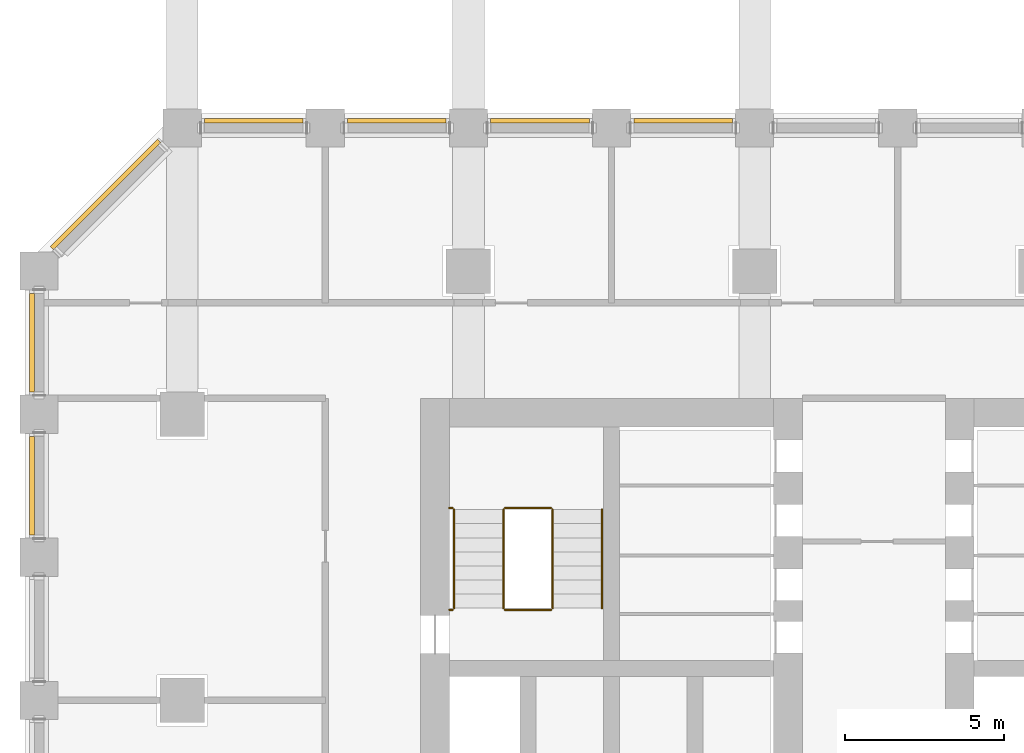
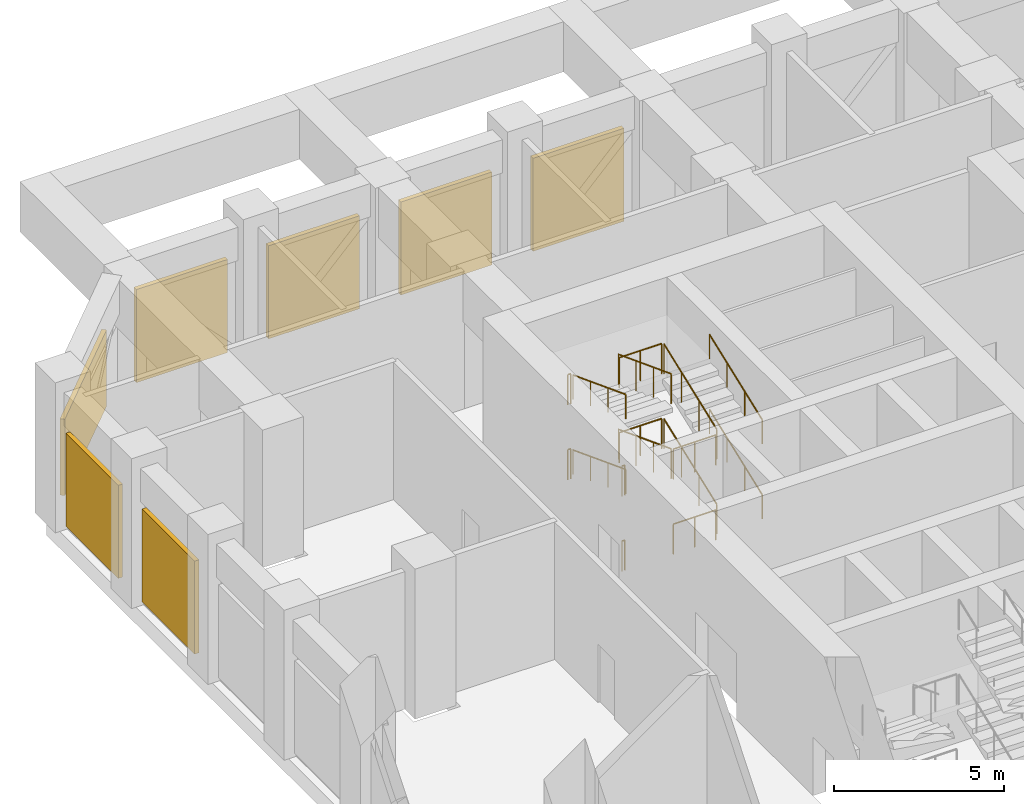
# One storey, part 17 of 20: 16 railings, 7 shading devices.
"""IFC4 building model written with IfcOpenShell, lengths in metres."""

from ifc_helpers import new_model, si_unit, direction, frame, origin, origin_2d, place, context, subcontext, project, spatial, rectangle, circle, extrude, material, layer, layer_set, type_object, element, save


model = new_model("IFC4")

# Units and contexts
model_context = context("Model", 3, precision=1e-05, world=origin(), true_north=direction((0.0, 1.0)))
body_context = subcontext(model_context, "Body", "Model", "MODEL_VIEW")
ifc_project = project(units=[si_unit("LENGTHUNIT", "METRE"), si_unit("AREAUNIT", "SQUARE_METRE"), si_unit("VOLUMEUNIT", "CUBIC_METRE"), si_unit("PLANEANGLEUNIT", "RADIAN"), si_unit("MASSUNIT", "GRAM", prefix="KILO")], contexts=[model_context])

# Site, building, storey
site_placement = place(None, origin())
site = spatial("IfcSite", under=ifc_project, at=site_placement, CompositionType="ELEMENT")
building_placement = place(site_placement, origin())
building = spatial("IfcBuilding", under=site, at=building_placement, Name="Corbel Stack Research Tower", CompositionType="ELEMENT")
storey_placement = place(building_placement, frame((0.0, 0.0, 76.60009765625)))
storey = spatial("IfcBuildingStorey", under=building, at=storey_placement, Name="L17", CompositionType="ELEMENT", Elevation=76.60009765625)

# Shading devices
ifc_material_1 = material(Name="Aluminium louvre", Category="aluminium")
ifc_layer = layer(ifc_material_1, 0.14990234375)
ifc_layer_set = layer_set([ifc_layer], Name="Aluminium louvre")
shading_device_type = type_object("IfcShadingDeviceType", Name="Plant louvre 150", PredefinedType="USERDEFINED", material=ifc_layer_set)
for number, where, z_axis, x_axis, name in (
    (1, (-2.25, 27.22509765625, 0.199951171875), (0.0, 0.0, 1.0), (-1.0, 0.0, 0.0), "Plant louvre L17 N07"),
    (2, (-6.75, 27.22509765625, 0.199951171875), (0.0, 0.0, 1.0), (-1.0, 0.0, 0.0), "Plant louvre L17 N08"),
    (3, (-11.25, 27.22509765625, 0.199951171875), (0.0, 0.0, 1.0), (-1.0, 0.0, 0.0), "Plant louvre L17 N09"),
    (4, (-15.75, 27.22509765625, 0.199951171875), (0.0, 0.0, 1.0), (-1.0, 0.0, 0.0), "Plant louvre L17 N10"),
):
    element("IfcShadingDevice", number, at=place(storey_placement, frame(where, z_axis=z_axis, x_axis=x_axis)), inside=storey, type_object=shading_device_type, Name=name, ObjectType="LOUVRE", PredefinedType="USERDEFINED", context=body_context, shape_type="SweptSolid", body=[
        extrude(rectangle(XDim=3.10009765625, YDim=0.14990234375, at=origin_2d()), origin(), (0.0, 0.0, 1.0), 3.35009765625),
    ])
shading_device_placement = place(storey_placement, frame((-20.4091796875, 24.9091796875, 0.199951171875), z_axis=(0.0, 0.0, 1.0), x_axis=(-0.707106781187, -0.707106781187, 0.0)))
element("IfcShadingDevice", 5, at=shading_device_placement, inside=storey, type_object=shading_device_type, Name="Plant louvre L17 NW01", ObjectType="LOUVRE", PredefinedType="USERDEFINED", context=body_context, shape_type="SweptSolid", body=[
    extrude(rectangle(XDim=4.766845703125, YDim=0.14990234375, at=origin_2d()), origin(), (0.0, 0.0, 1.0), 2.75),
])
for number, where, z_axis, x_axis, name in (
    (6, (-22.72509765625, 20.25, 0.199951171875), (0.0, 0.0, 1.0), (0.0, -1.0, 0.0), "Plant louvre L17 W01"),
    (7, (-22.72509765625, 15.75, 0.199951171875), (0.0, 0.0, 1.0), (0.0, -1.0, 0.0), "Plant louvre L17 W02"),
):
    element("IfcShadingDevice", number, at=place(storey_placement, frame(where, z_axis=z_axis, x_axis=x_axis)), inside=storey, type_object=shading_device_type, Name=name, ObjectType="LOUVRE", PredefinedType="USERDEFINED", context=body_context, shape_type="SweptSolid", body=[
        extrude(rectangle(XDim=3.10009765625, YDim=0.14990234375, at=origin_2d()), origin(), (0.0, 0.0, 1.0), 3.35009765625),
    ])

# Railings
ifc_material_2 = material(Name="Steel S355", Category="steel")
railing_type_1 = type_object("IfcRailingType", Name="Stair guard 1100", PredefinedType="GUARDRAIL", material=ifc_material_2)
railing_1_placement = place(storey_placement, frame((-6.35009765625, 11.89990234375, 0.168701171875)))
element("IfcRailing", 8, at=railing_1_placement, inside=storey, type_object=railing_type_1, Name="L17 ST-W2 stair guard 1", PredefinedType="GUARDRAIL", context=body_context, shape_type="SweptSolid", body=[
    extrude(circle(Radius=0.02392578125, at=origin_2d()), frame((0.0, 0.0, 1.076171875), z_axis=(0.0, 0.934508712189, 0.355940257406), x_axis=(-1.0, 0.0, 0.0)), (0.0, 0.0, 1.0), 3.318359375),
    extrude(circle(Radius=0.02099609375, at=origin_2d()), origin(), (0.0, 0.0, 1.0), 1.052001953125),
    extrude(circle(Radius=0.02099609375, at=origin_2d()), frame((0.0, 1.03369140625, 0.393798828125)), (0.0, 0.0, 1.0), 1.052001953125),
    extrude(circle(Radius=0.02099609375, at=origin_2d()), frame((0.0, 2.0673828125, 0.787353515625)), (0.0, 0.0, 1.0), 1.052001953125),
    extrude(circle(Radius=0.02099609375, at=origin_2d()), frame((0.0, 3.10107421875, 1.18115234375)), (0.0, 0.0, 1.0), 1.052001953125),
])
railing_2_placement = place(storey_placement, frame((-6.39990234375, 15.051025390625, 1.349853515625)))
element("IfcRailing", 9, at=railing_2_placement, inside=storey, type_object=railing_type_1, Name="L17 ST-W2 stair guard 2", PredefinedType="GUARDRAIL", context=body_context, shape_type="SweptSolid", body=[
    extrude(circle(Radius=0.02392578125, at=origin_2d()), frame((0.0, 0.0, 1.076171875), z_axis=(-1.0, 0.0, 0.0), x_axis=(0.0, -1.0, 0.0)), (0.0, 0.0, 1.0), 1.4501953125),
    extrude(circle(Radius=0.02099609375, at=origin_2d()), origin(), (0.0, 0.0, 1.0), 1.052001953125),
    extrude(circle(Radius=0.02099609375, at=origin_2d()), frame((-0.72509765625, 0.0, 0.0)), (0.0, 0.0, 1.0), 1.052001953125),
    extrude(circle(Radius=0.02099609375, at=origin_2d()), frame((-1.4501953125, 0.0, 0.0)), (0.0, 0.0, 1.0), 1.052001953125),
])
railing_3_placement = place(storey_placement, frame((-9.5, 15.051025390625, 1.349853515625)))
element("IfcRailing", 10, at=railing_3_placement, inside=storey, type_object=railing_type_1, Name="L17 ST-W2 stair guard 3", PredefinedType="GUARDRAIL", context=body_context, shape_type="SweptSolid", body=[
    extrude(circle(Radius=0.02392578125, at=origin_2d()), frame((0.0, 0.0, 1.076171875), z_axis=(-1.0, 0.0, 0.0), x_axis=(0.0, -1.0, 0.0)), (0.0, 0.0, 1.0), 0.10009765625),
    extrude(circle(Radius=0.02099609375, at=origin_2d()), origin(), (0.0, 0.0, 1.0), 1.052001953125),
    extrude(circle(Radius=0.02099609375, at=origin_2d()), frame((-0.10009765625, 0.0, 0.0)), (0.0, 0.0, 1.0), 1.052001953125),
])
railing_4_placement = place(storey_placement, frame((-7.89990234375, 15.0009765625, 1.5185546875)))
element("IfcRailing", 11, at=railing_4_placement, inside=storey, type_object=railing_type_1, Name="L17 ST-W2 stair guard 4", PredefinedType="GUARDRAIL", context=body_context, shape_type="SweptSolid", body=[
    extrude(circle(Radius=0.02392578125, at=origin_2d()), frame((0.0, 0.0, 1.076171875), z_axis=(0.0, -0.934484238495, 0.356004505596), x_axis=(1.0, 0.0, 0.0)), (0.0, 0.0, 1.0), 3.318603515625),
    extrude(circle(Radius=0.02099609375, at=origin_2d()), origin(), (0.0, 0.0, 1.0), 1.052001953125),
    extrude(circle(Radius=0.02099609375, at=origin_2d()), frame((0.0, -1.03369140625, 0.393798828125)), (0.0, 0.0, 1.0), 1.052001953125),
    extrude(circle(Radius=0.02099609375, at=origin_2d()), frame((0.0, -2.0673828125, 0.78759765625)), (0.0, 0.0, 1.0), 1.052001953125),
    extrude(circle(Radius=0.02099609375, at=origin_2d()), frame((0.0, -3.10107421875, 1.181396484375)), (0.0, 0.0, 1.0), 1.052001953125),
])
railing_5_placement = place(storey_placement, frame((-6.39990234375, 11.85009765625, 2.699951171875)))
element("IfcRailing", 12, at=railing_5_placement, inside=storey, type_object=railing_type_1, Name="L17 ST-W2 stair guard 5", PredefinedType="GUARDRAIL", context=body_context, shape_type="SweptSolid", body=[
    extrude(circle(Radius=0.02392578125, at=origin_2d()), frame((0.0, 0.0, 1.076171875), z_axis=(-1.0, 0.0, 0.0), x_axis=(0.0, -1.0, 0.0)), (0.0, 0.0, 1.0), 1.4501953125),
    extrude(circle(Radius=0.02099609375, at=origin_2d()), origin(), (0.0, 0.0, 1.0), 1.052001953125),
    extrude(circle(Radius=0.02099609375, at=origin_2d()), frame((-0.72509765625, 0.0, 0.0)), (0.0, 0.0, 1.0), 1.052001953125),
    extrude(circle(Radius=0.02099609375, at=origin_2d()), frame((-1.4501953125, 0.0, 0.0)), (0.0, 0.0, 1.0), 1.052001953125),
])
railing_6_placement = place(storey_placement, frame((-9.5, 11.85009765625, 2.699951171875)))
element("IfcRailing", 13, at=railing_6_placement, inside=storey, type_object=railing_type_1, Name="L17 ST-W2 stair guard 6", PredefinedType="GUARDRAIL", context=body_context, shape_type="SweptSolid", body=[
    extrude(circle(Radius=0.02392578125, at=origin_2d()), frame((0.0, 0.0, 1.076171875), z_axis=(-1.0, 0.0, 0.0), x_axis=(0.0, -1.0, 0.0)), (0.0, 0.0, 1.0), 0.10009765625),
    extrude(circle(Radius=0.02099609375, at=origin_2d()), origin(), (0.0, 0.0, 1.0), 1.052001953125),
    extrude(circle(Radius=0.02099609375, at=origin_2d()), frame((-0.10009765625, 0.0, 0.0)), (0.0, 0.0, 1.0), 1.052001953125),
])
railing_7_placement = place(storey_placement, frame((-6.35009765625, 11.89990234375, 2.86865234375)))
element("IfcRailing", 14, at=railing_7_placement, inside=storey, type_object=railing_type_1, Name="L17 ST-W2 stair guard 7", PredefinedType="GUARDRAIL", context=body_context, shape_type="SweptSolid", body=[
    extrude(circle(Radius=0.02392578125, at=origin_2d()), frame((0.0, 0.0, 1.076171875), z_axis=(0.0, 0.934508712189, 0.355940257406), x_axis=(-1.0, 0.0, 0.0)), (0.0, 0.0, 1.0), 3.318359375),
    extrude(circle(Radius=0.02099609375, at=origin_2d()), origin(), (0.0, 0.0, 1.0), 1.052001953125),
    extrude(circle(Radius=0.02099609375, at=origin_2d()), frame((0.0, 1.03369140625, 0.393798828125)), (0.0, 0.0, 1.0), 1.052001953125),
    extrude(circle(Radius=0.02099609375, at=origin_2d()), frame((0.0, 2.0673828125, 0.787353515625)), (0.0, 0.0, 1.0), 1.052001953125),
    extrude(circle(Radius=0.02099609375, at=origin_2d()), frame((0.0, 3.10107421875, 1.18115234375)), (0.0, 0.0, 1.0), 1.052001953125),
])
railing_8_placement = place(storey_placement, frame((-6.39990234375, 15.051025390625, 4.0498046875)))
element("IfcRailing", 15, at=railing_8_placement, inside=storey, type_object=railing_type_1, Name="L17 ST-W2 stair guard 8", PredefinedType="GUARDRAIL", context=body_context, shape_type="SweptSolid", body=[
    extrude(circle(Radius=0.02392578125, at=origin_2d()), frame((0.0, 0.0, 1.076171875), z_axis=(-1.0, 0.0, 0.0), x_axis=(0.0, -1.0, 0.0)), (0.0, 0.0, 1.0), 1.4501953125),
    extrude(circle(Radius=0.02099609375, at=origin_2d()), origin(), (0.0, 0.0, 1.0), 1.052001953125),
    extrude(circle(Radius=0.02099609375, at=origin_2d()), frame((-0.72509765625, 0.0, 0.0)), (0.0, 0.0, 1.0), 1.052001953125),
    extrude(circle(Radius=0.02099609375, at=origin_2d()), frame((-1.4501953125, 0.0, 0.0)), (0.0, 0.0, 1.0), 1.052001953125),
])
railing_9_placement = place(storey_placement, frame((-9.5, 15.051025390625, 4.0498046875)))
element("IfcRailing", 16, at=railing_9_placement, inside=storey, type_object=railing_type_1, Name="L17 ST-W2 stair guard 9", PredefinedType="GUARDRAIL", context=body_context, shape_type="SweptSolid", body=[
    extrude(circle(Radius=0.02392578125, at=origin_2d()), frame((0.0, 0.0, 1.076171875), z_axis=(-1.0, 0.0, 0.0), x_axis=(0.0, -1.0, 0.0)), (0.0, 0.0, 1.0), 0.10009765625),
    extrude(circle(Radius=0.02099609375, at=origin_2d()), origin(), (0.0, 0.0, 1.0), 1.052001953125),
    extrude(circle(Radius=0.02099609375, at=origin_2d()), frame((-0.10009765625, 0.0, 0.0)), (0.0, 0.0, 1.0), 1.052001953125),
])
railing_10_placement = place(storey_placement, frame((-7.89990234375, 15.0009765625, 4.21875)))
element("IfcRailing", 17, at=railing_10_placement, inside=storey, type_object=railing_type_1, Name="L17 ST-W2 stair guard 10", PredefinedType="GUARDRAIL", context=body_context, shape_type="SweptSolid", body=[
    extrude(circle(Radius=0.02392578125, at=origin_2d()), frame((0.0, 0.0, 1.076171875), z_axis=(0.0, -0.934508712189, 0.355940257406), x_axis=(1.0, 0.0, 0.0)), (0.0, 0.0, 1.0), 3.318359375),
    extrude(circle(Radius=0.02099609375, at=origin_2d()), origin(), (0.0, 0.0, 1.0), 1.052001953125),
    extrude(circle(Radius=0.02099609375, at=origin_2d()), frame((0.0, -1.03369140625, 0.393798828125)), (0.0, 0.0, 1.0), 1.052001953125),
    extrude(circle(Radius=0.02099609375, at=origin_2d()), frame((0.0, -2.0673828125, 0.787353515625)), (0.0, 0.0, 1.0), 1.052001953125),
    extrude(circle(Radius=0.02099609375, at=origin_2d()), frame((0.0, -3.10107421875, 1.18115234375)), (0.0, 0.0, 1.0), 1.052001953125),
])
railing_11_placement = place(storey_placement, frame((-6.39990234375, 11.85009765625, 0.0)))
element("IfcRailing", 18, at=railing_11_placement, inside=storey, type_object=railing_type_1, Name="L17 ST-W2 stair guard 11", PredefinedType="GUARDRAIL", context=body_context, shape_type="SweptSolid", body=[
    extrude(circle(Radius=0.02392578125, at=origin_2d()), frame((0.0, 0.0, 1.076171875), z_axis=(-1.0, 0.0, 0.0), x_axis=(0.0, -1.0, 0.0)), (0.0, 0.0, 1.0), 1.4501953125),
    extrude(circle(Radius=0.02099609375, at=origin_2d()), origin(), (0.0, 0.0, 1.0), 1.052001953125),
    extrude(circle(Radius=0.02099609375, at=origin_2d()), frame((-0.72509765625, 0.0, 0.0)), (0.0, 0.0, 1.0), 1.052001953125),
    extrude(circle(Radius=0.02099609375, at=origin_2d()), frame((-1.4501953125, 0.0, 0.0)), (0.0, 0.0, 1.0), 1.052001953125),
])
railing_12_placement = place(storey_placement, frame((-9.5, 11.85009765625, 0.0)))
element("IfcRailing", 19, at=railing_12_placement, inside=storey, type_object=railing_type_1, Name="L17 ST-W2 stair guard 12", PredefinedType="GUARDRAIL", context=body_context, shape_type="SweptSolid", body=[
    extrude(circle(Radius=0.02392578125, at=origin_2d()), frame((0.0, 0.0, 1.076171875), z_axis=(-1.0, 0.0, 0.0), x_axis=(0.0, -1.0, 0.0)), (0.0, 0.0, 1.0), 0.10009765625),
    extrude(circle(Radius=0.02099609375, at=origin_2d()), origin(), (0.0, 0.0, 1.0), 1.052001953125),
    extrude(circle(Radius=0.02099609375, at=origin_2d()), frame((-0.10009765625, 0.0, 0.0)), (0.0, 0.0, 1.0), 1.052001953125),
])
ifc_material_3 = material(Name="Steel S355", Category="steel")
railing_type_2 = type_object("IfcRailingType", Name="Stair handrail 900", PredefinedType="HANDRAIL", material=ifc_material_3)
railing_13_placement = place(storey_placement, frame((-4.800048828125, 11.89990234375, 0.168701171875)))
element("IfcRailing", 20, at=railing_13_placement, inside=storey, type_object=railing_type_2, Name="L17 ST-W2 stair handrail 1", PredefinedType="HANDRAIL", context=body_context, shape_type="SweptSolid", body=[
    extrude(circle(Radius=0.02392578125, at=origin_2d()), frame((0.0, 0.0, 0.8759765625), z_axis=(0.0, 0.934508712189, 0.355940257406), x_axis=(-1.0, 0.0, 0.0)), (0.0, 0.0, 1.0), 3.318359375),
    extrude(circle(Radius=0.02099609375, at=origin_2d()), origin(), (0.0, 0.0, 1.0), 0.851806640625),
    extrude(circle(Radius=0.02099609375, at=origin_2d()), frame((0.0, 1.03369140625, 0.393798828125)), (0.0, 0.0, 1.0), 0.851806640625),
    extrude(circle(Radius=0.02099609375, at=origin_2d()), frame((0.0, 2.0673828125, 0.787353515625)), (0.0, 0.0, 1.0), 0.851806640625),
    extrude(circle(Radius=0.02099609375, at=origin_2d()), frame((0.0, 3.10107421875, 1.18115234375)), (0.0, 0.0, 1.0), 0.851806640625),
])
railing_14_placement = place(storey_placement, frame((-9.449951171875, 15.0009765625, 1.5185546875)))
element("IfcRailing", 21, at=railing_14_placement, inside=storey, type_object=railing_type_2, Name="L17 ST-W2 stair handrail 2", PredefinedType="HANDRAIL", context=body_context, shape_type="SweptSolid", body=[
    extrude(circle(Radius=0.02392578125, at=origin_2d()), frame((0.0, 0.0, 0.8759765625), z_axis=(0.0, -0.934484238495, 0.356004505596), x_axis=(1.0, 0.0, 0.0)), (0.0, 0.0, 1.0), 3.318603515625),
    extrude(circle(Radius=0.02099609375, at=origin_2d()), origin(), (0.0, 0.0, 1.0), 0.851806640625),
    extrude(circle(Radius=0.02099609375, at=origin_2d()), frame((0.0, -1.03369140625, 0.393798828125)), (0.0, 0.0, 1.0), 0.851806640625),
    extrude(circle(Radius=0.02099609375, at=origin_2d()), frame((0.0, -2.0673828125, 0.78759765625)), (0.0, 0.0, 1.0), 0.851806640625),
    extrude(circle(Radius=0.02099609375, at=origin_2d()), frame((0.0, -3.10107421875, 1.181396484375)), (0.0, 0.0, 1.0), 0.851806640625),
])
railing_15_placement = place(storey_placement, frame((-4.800048828125, 11.89990234375, 2.86865234375)))
element("IfcRailing", 22, at=railing_15_placement, inside=storey, type_object=railing_type_2, Name="L17 ST-W2 stair handrail 3", PredefinedType="HANDRAIL", context=body_context, shape_type="SweptSolid", body=[
    extrude(circle(Radius=0.02392578125, at=origin_2d()), frame((0.0, 0.0, 0.8759765625), z_axis=(0.0, 0.934508712189, 0.355940257406), x_axis=(-1.0, 0.0, 0.0)), (0.0, 0.0, 1.0), 3.318359375),
    extrude(circle(Radius=0.02099609375, at=origin_2d()), origin(), (0.0, 0.0, 1.0), 0.851806640625),
    extrude(circle(Radius=0.02099609375, at=origin_2d()), frame((0.0, 1.03369140625, 0.393798828125)), (0.0, 0.0, 1.0), 0.851806640625),
    extrude(circle(Radius=0.02099609375, at=origin_2d()), frame((0.0, 2.0673828125, 0.787353515625)), (0.0, 0.0, 1.0), 0.851806640625),
    extrude(circle(Radius=0.02099609375, at=origin_2d()), frame((0.0, 3.10107421875, 1.18115234375)), (0.0, 0.0, 1.0), 0.851806640625),
])
railing_16_placement = place(storey_placement, frame((-9.449951171875, 15.0009765625, 4.21875)))
element("IfcRailing", 23, at=railing_16_placement, inside=storey, type_object=railing_type_2, Name="L17 ST-W2 stair handrail 4", PredefinedType="HANDRAIL", context=body_context, shape_type="SweptSolid", body=[
    extrude(circle(Radius=0.02392578125, at=origin_2d()), frame((0.0, 0.0, 0.8759765625), z_axis=(0.0, -0.934508712189, 0.355940257406), x_axis=(1.0, 0.0, 0.0)), (0.0, 0.0, 1.0), 3.318359375),
    extrude(circle(Radius=0.02099609375, at=origin_2d()), origin(), (0.0, 0.0, 1.0), 0.851806640625),
    extrude(circle(Radius=0.02099609375, at=origin_2d()), frame((0.0, -1.03369140625, 0.393798828125)), (0.0, 0.0, 1.0), 0.851806640625),
    extrude(circle(Radius=0.02099609375, at=origin_2d()), frame((0.0, -2.0673828125, 0.787353515625)), (0.0, 0.0, 1.0), 0.851806640625),
    extrude(circle(Radius=0.02099609375, at=origin_2d()), frame((0.0, -3.10107421875, 1.18115234375)), (0.0, 0.0, 1.0), 0.851806640625),
])

save(model, "model.ifc")
